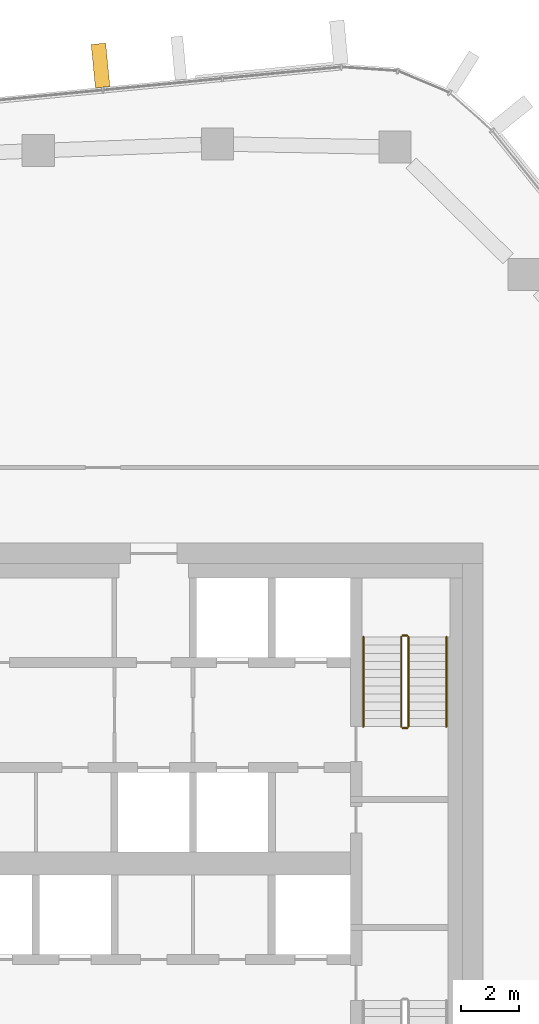
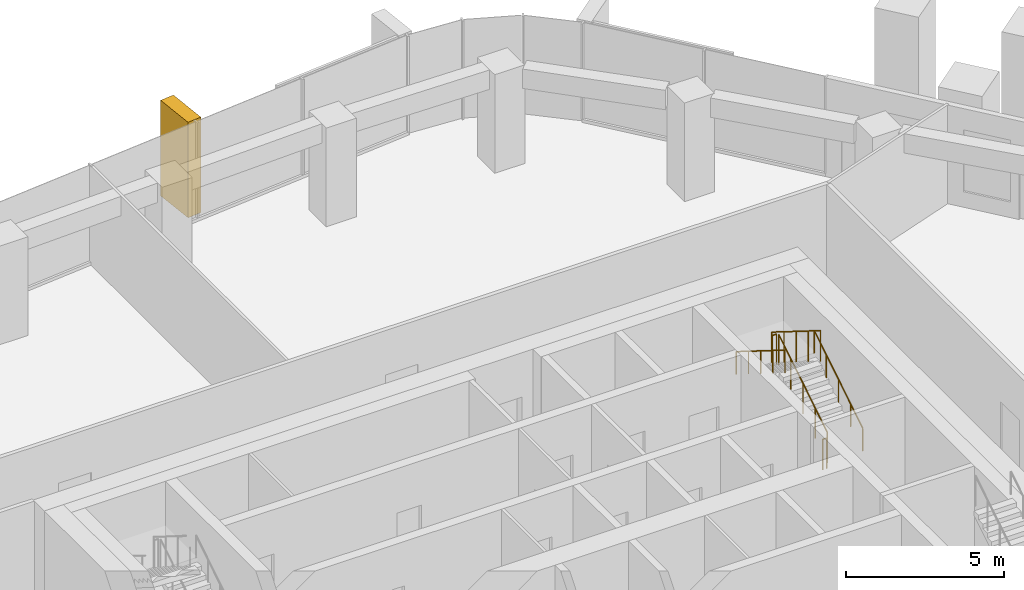
# One storey, part 19 of 20: 6 railings, 1 covering, 1 element without a shape of its own.
"""IFC4 building model written with IfcOpenShell, lengths in metres."""

from ifc_helpers import new_model, si_unit, direction, frame, origin, origin_2d, place, context, subcontext, project, spatial, rectangle, circle, extrude, material, layer, layer_set, material_profile, profile_set, type_object, element, aggregate, save


model = new_model("IFC4")

# Units and contexts
model_context = context("Model", 3, precision=1e-05, world=origin(), true_north=direction((0.0, 1.0)))
body_context = subcontext(model_context, "Body", "Model", "MODEL_VIEW")
ifc_project = project(units=[si_unit("LENGTHUNIT", "METRE"), si_unit("AREAUNIT", "SQUARE_METRE"), si_unit("VOLUMEUNIT", "CUBIC_METRE"), si_unit("PLANEANGLEUNIT", "RADIAN"), si_unit("MASSUNIT", "GRAM", prefix="KILO")], contexts=[model_context])

# Site, building, storey
site_placement = place(None, origin())
site = spatial("IfcSite", under=ifc_project, at=site_placement, CompositionType="ELEMENT")
building_placement = place(site_placement, origin())
building = spatial("IfcBuilding", under=site, at=building_placement, Name="Dongbaek Canopy Tower", CompositionType="ELEMENT")
storey_placement = place(building_placement, frame((0.0, 0.0, 262.199951171875)))
storey = spatial("IfcBuildingStorey", under=building, at=storey_placement, Name="L55", CompositionType="ELEMENT", Elevation=262.199951171875)

# Curtain wall, covering
ifc_material_1 = material(Name="Aluminium 6063-T6 pale anodised", Category="aluminium")
ifc_layer = layer(ifc_material_1, 0.199951171875)
ifc_layer_set = layer_set([ifc_layer], Name="CW-1 unitised tower curtain wall")
curtain_wall_type = type_object("IfcCurtainWallType", Name="CW-1 unitised tower curtain wall", PredefinedType="NOTDEFINED", material=ifc_layer_set)
curtain_wall_placement = place(storey_placement, origin())
curtain_wall = element("IfcCurtainWall", 1, at=curtain_wall_placement, inside=storey, type_object=curtain_wall_type, Name="CW-1 curtain wall F1.1", PredefinedType="NOTDEFINED")
ifc_material_2 = material(Name="Aluminium 6063-T6 pale metal fin", Category="aluminium")
ifc_material_profile = material_profile(ifc_material_2, rectangle(XDim=1.5, YDim=0.5, at=origin_2d()), Name="Fin FN1 500 x 1500 pale metal")
ifc_profile_set = profile_set([ifc_material_profile], Name="Aluminium 6063-T6 pale metal fin")
covering_type = type_object("IfcCoveringType", Name="Fin FN1 500 x 1500 pale metal", PredefinedType="CLADDING", material=ifc_profile_set)
covering_placement = place(storey_placement, frame((0.873046875, 27.404541015625, 0.1201171875), z_axis=(0.0, 0.0, 1.0), x_axis=(-0.096505718384, 0.995332430055, 0.0)))
covering = element("IfcCovering", 2, at=covering_placement, type_object=covering_type, Name="Fin F1.1.3", PredefinedType="CLADDING", context=body_context, shape_type="SweptSolid", body=[
    extrude(rectangle(XDim=1.5, YDim=0.5, at=origin_2d()), origin(), (0.0, 0.0, 1.0), 3.699951171875),
])
aggregate(curtain_wall, [covering])

# Railings
ifc_material_3 = material(Name="Stainless steel tube and balusters", Category="steel")
railing_type_1 = type_object("IfcRailingType", Name="Stair guard 1200", PredefinedType="GUARDRAIL", material=ifc_material_3)
railing_1_placement = place(storey_placement, frame((11.449951171875, 4.699951171875, 0.175048828125)))
element("IfcRailing", 3, at=railing_1_placement, inside=storey, type_object=railing_type_1, Name="L55 ST-A stair guard 1", PredefinedType="GUARDRAIL", context=body_context, shape_type="SweptSolid", body=[
    extrude(circle(Radius=0.02392578125, at=origin_2d()), frame((0.0, 0.0, 1.17578125), z_axis=(0.0, 0.847998304005, 0.529998940003), x_axis=(-1.0, 0.0, 0.0)), (0.0, 0.0, 1.0), 3.632080078125),
    extrude(circle(Radius=0.02099609375, at=origin_2d()), origin(), (0.0, 0.0, 1.0), 1.15185546875),
    extrude(circle(Radius=0.02099609375, at=origin_2d()), frame((0.0, 0.77001953125, 0.481201171875)), (0.0, 0.0, 1.0), 1.15185546875),
    extrude(circle(Radius=0.02099609375, at=origin_2d()), frame((0.0, 1.5400390625, 0.96240234375)), (0.0, 0.0, 1.0), 1.15185546875),
    extrude(circle(Radius=0.02099609375, at=origin_2d()), frame((0.0, 2.31005859375, 1.44384765625)), (0.0, 0.0, 1.0), 1.15185546875),
    extrude(circle(Radius=0.02099609375, at=origin_2d()), frame((0.0, 3.080078125, 1.925048828125)), (0.0, 0.0, 1.0), 1.15185546875),
])
railing_2_placement = place(storey_placement, frame((11.39990234375, 7.830078125, 2.10009765625)))
element("IfcRailing", 4, at=railing_2_placement, inside=storey, type_object=railing_type_1, Name="L55 ST-A stair guard 2", PredefinedType="GUARDRAIL", context=body_context, shape_type="SweptSolid", body=[
    extrude(circle(Radius=0.02392578125, at=origin_2d()), frame((0.0, 0.0, 1.17578125), z_axis=(-1.0, 0.0, 0.0), x_axis=(0.0, -1.0, 0.0)), (0.0, 0.0, 1.0), 0.14990234375),
    extrude(circle(Radius=0.02099609375, at=origin_2d()), origin(), (0.0, 0.0, 1.0), 1.15185546875),
    extrude(circle(Radius=0.02099609375, at=origin_2d()), frame((-0.14990234375, 0.0, 0.0)), (0.0, 0.0, 1.0), 1.15185546875),
])
railing_3_placement = place(storey_placement, frame((11.199951171875, 7.780029296875, 2.275146484375)))
element("IfcRailing", 5, at=railing_3_placement, inside=storey, type_object=railing_type_1, Name="L55 ST-A stair guard 3", PredefinedType="GUARDRAIL", context=body_context, shape_type="SweptSolid", body=[
    extrude(circle(Radius=0.02392578125, at=origin_2d()), frame((0.0, 0.0, 1.17578125), z_axis=(0.0, -0.848028513186, 0.529950602248), x_axis=(1.0, 0.0, 0.0)), (0.0, 0.0, 1.0), 3.632080078125),
    extrude(circle(Radius=0.02099609375, at=origin_2d()), origin(), (0.0, 0.0, 1.0), 1.15185546875),
    extrude(circle(Radius=0.02099609375, at=origin_2d()), frame((0.0, -0.77001953125, 0.481201171875)), (0.0, 0.0, 1.0), 1.15185546875),
    extrude(circle(Radius=0.02099609375, at=origin_2d()), frame((0.0, -1.5400390625, 0.96240234375)), (0.0, 0.0, 1.0), 1.15185546875),
    extrude(circle(Radius=0.02099609375, at=origin_2d()), frame((0.0, -2.31005859375, 1.443603515625)), (0.0, 0.0, 1.0), 1.15185546875),
    extrude(circle(Radius=0.02099609375, at=origin_2d()), frame((0.0, -3.080078125, 1.9248046875)), (0.0, 0.0, 1.0), 1.15185546875),
])
railing_4_placement = place(storey_placement, frame((11.39990234375, 4.64990234375, 0.0)))
element("IfcRailing", 6, at=railing_4_placement, inside=storey, type_object=railing_type_1, Name="L55 ST-A stair guard 4", PredefinedType="GUARDRAIL", context=body_context, shape_type="SweptSolid", body=[
    extrude(circle(Radius=0.02392578125, at=origin_2d()), frame((0.0, 0.0, 1.17578125), z_axis=(-1.0, 0.0, 0.0), x_axis=(0.0, -1.0, 0.0)), (0.0, 0.0, 1.0), 0.14990234375),
    extrude(circle(Radius=0.02099609375, at=origin_2d()), origin(), (0.0, 0.0, 1.0), 1.15185546875),
    extrude(circle(Radius=0.02099609375, at=origin_2d()), frame((-0.14990234375, 0.0, 0.0)), (0.0, 0.0, 1.0), 1.15185546875),
])
ifc_material_4 = material(Name="Stainless steel tube", Category="steel")
railing_type_2 = type_object("IfcRailingType", Name="Stair handrail 900", PredefinedType="HANDRAIL", material=ifc_material_4)
railing_5_placement = place(storey_placement, frame((12.75, 4.699951171875, 0.175048828125)))
element("IfcRailing", 7, at=railing_5_placement, inside=storey, type_object=railing_type_2, Name="L55 ST-A stair handrail 1", PredefinedType="HANDRAIL", context=body_context, shape_type="SweptSolid", body=[
    extrude(circle(Radius=0.02392578125, at=origin_2d()), frame((0.0, 0.0, 0.8759765625), z_axis=(0.0, 0.847998304005, 0.529998940003), x_axis=(-1.0, 0.0, 0.0)), (0.0, 0.0, 1.0), 3.632080078125),
    extrude(circle(Radius=0.02099609375, at=origin_2d()), origin(), (0.0, 0.0, 1.0), 0.851806640625),
    extrude(circle(Radius=0.02099609375, at=origin_2d()), frame((0.0, 0.77001953125, 0.481201171875)), (0.0, 0.0, 1.0), 0.851806640625),
    extrude(circle(Radius=0.02099609375, at=origin_2d()), frame((0.0, 1.5400390625, 0.96240234375)), (0.0, 0.0, 1.0), 0.851806640625),
    extrude(circle(Radius=0.02099609375, at=origin_2d()), frame((0.0, 2.31005859375, 1.44384765625)), (0.0, 0.0, 1.0), 0.851806640625),
    extrude(circle(Radius=0.02099609375, at=origin_2d()), frame((0.0, 3.080078125, 1.925048828125)), (0.0, 0.0, 1.0), 0.851806640625),
])
railing_6_placement = place(storey_placement, frame((9.89990234375, 7.780029296875, 2.275146484375)))
element("IfcRailing", 8, at=railing_6_placement, inside=storey, type_object=railing_type_2, Name="L55 ST-A stair handrail 2", PredefinedType="HANDRAIL", context=body_context, shape_type="SweptSolid", body=[
    extrude(circle(Radius=0.02392578125, at=origin_2d()), frame((0.0, 0.0, 0.8759765625), z_axis=(0.0, -0.848028513186, 0.529950602248), x_axis=(1.0, 0.0, 0.0)), (0.0, 0.0, 1.0), 3.632080078125),
    extrude(circle(Radius=0.02099609375, at=origin_2d()), origin(), (0.0, 0.0, 1.0), 0.851806640625),
    extrude(circle(Radius=0.02099609375, at=origin_2d()), frame((0.0, -0.77001953125, 0.481201171875)), (0.0, 0.0, 1.0), 0.851806640625),
    extrude(circle(Radius=0.02099609375, at=origin_2d()), frame((0.0, -1.5400390625, 0.96240234375)), (0.0, 0.0, 1.0), 0.851806640625),
    extrude(circle(Radius=0.02099609375, at=origin_2d()), frame((0.0, -2.31005859375, 1.443603515625)), (0.0, 0.0, 1.0), 0.851806640625),
    extrude(circle(Radius=0.02099609375, at=origin_2d()), frame((0.0, -3.080078125, 1.9248046875)), (0.0, 0.0, 1.0), 0.851806640625),
])

save(model, "model.ifc")
